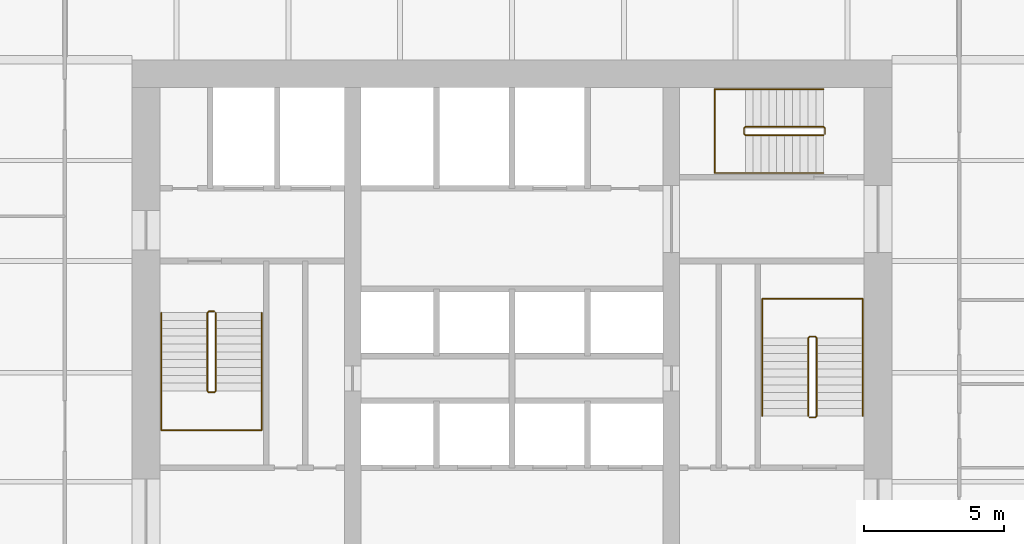
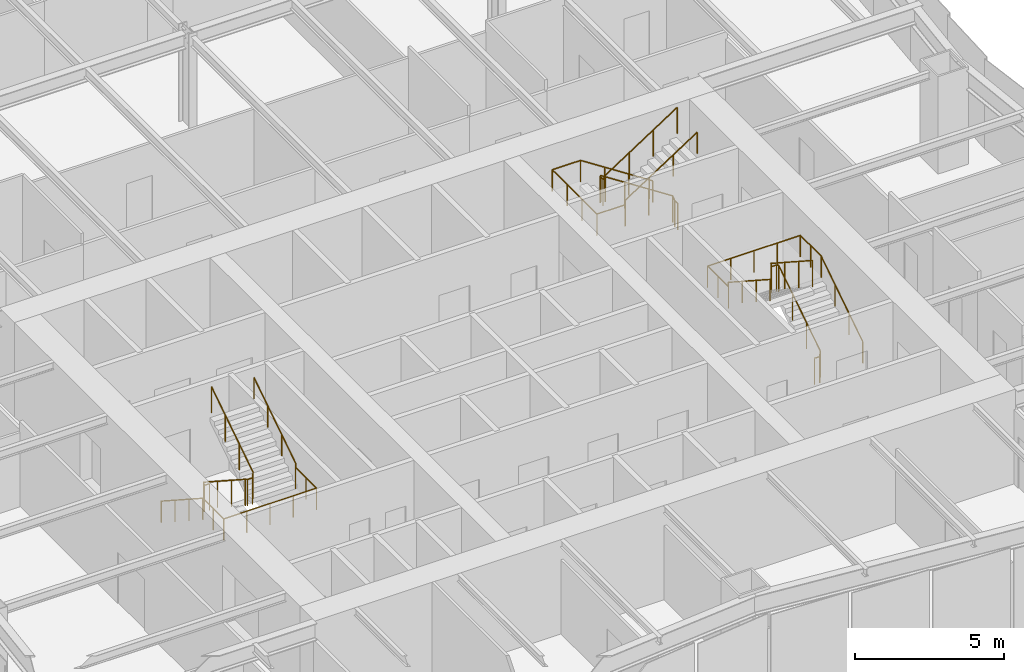
# One storey, part 8 of 8: 6 railings.
"""IFC4 building model written with IfcOpenShell, lengths in metres."""

from ifc_helpers import new_model, si_unit, direction, frame, origin, origin_2d, place, context, subcontext, project, spatial, circle, extrude, material, type_object, element, save


model = new_model("IFC4")

# Units and contexts
model_context = context("Model", 3, precision=1e-05, world=origin(), true_north=direction((0.0, 1.0)))
body_context = subcontext(model_context, "Body", "Model", "MODEL_VIEW")
ifc_project = project(units=[si_unit("LENGTHUNIT", "METRE"), si_unit("AREAUNIT", "SQUARE_METRE"), si_unit("VOLUMEUNIT", "CUBIC_METRE"), si_unit("PLANEANGLEUNIT", "RADIAN"), si_unit("MASSUNIT", "GRAM", prefix="KILO")], contexts=[model_context])

# Site, building, storey
site_placement = place(None, origin())
site = spatial("IfcSite", under=ifc_project, at=site_placement, CompositionType="ELEMENT")
building_placement = place(site_placement, origin())
building = spatial("IfcBuilding", under=site, at=building_placement, Name="Verdant Reach Tower", CompositionType="ELEMENT")
storey_placement = place(building_placement, frame((0.0, 0.0, 146.0)))
storey = spatial("IfcBuildingStorey", under=building, at=storey_placement, Name="L33", CompositionType="ELEMENT", Elevation=146.0)

# Railings
ifc_material = material(Name="Stainless steel", Category="steel")
railing_type_1 = type_object("IfcRailingType", Name="CO-GUARD", PredefinedType="GUARDRAIL", material=ifc_material)
railing_1_placement = place(storey_placement, frame((-10.64990234375, 29.60009765625, 0.0)))
element("IfcRailing", 1, at=railing_1_placement, inside=storey, type_object=railing_type_1, Name="L33 ST-1 stair guard 1", PredefinedType="GUARDRAIL", context=body_context, shape_type="SweptSolid", body=[
    extrude(circle(Radius=0.02392578125, at=origin_2d()), frame((0.0, 0.0, 1.076171875), z_axis=(-1.0, 0.0, 0.0), x_axis=(0.0, -1.0, 0.0)), (0.0, 0.0, 1.0), 0.2001953125),
    extrude(circle(Radius=0.02392578125, at=origin_2d()), frame((-0.2001953125, 0.0, 1.076171875), z_axis=(-0.25526617399, -0.256517478764, 0.932222056972), x_axis=(0.708833529934, -0.705375805398, 0.0)), (0.0, 0.0, 1.0), 0.195068359375),
    extrude(circle(Radius=0.02392578125, at=origin_2d()), frame((-0.25, -0.050048828125, 1.2578125), z_axis=(0.0, -0.838705829183, 0.544584733623), x_axis=(1.0, 0.0, 0.0)), (0.0, 0.0, 1.0), 3.338623046875),
    extrude(circle(Radius=0.02392578125, at=origin_2d()), frame((-0.25, -2.85009765625, 3.076171875), z_axis=(0.705375805398, -0.708833529934, 0.0), x_axis=(0.708833529934, 0.705375805398, 0.0)), (0.0, 0.0, 1.0), 0.070556640625),
    extrude(circle(Radius=0.02392578125, at=origin_2d()), frame((-0.2001953125, -2.900146484375, 3.076171875), z_axis=(1.0, 0.0, 0.0), x_axis=(0.0, 1.0, 0.0)), (0.0, 0.0, 1.0), 0.2001953125),
    extrude(circle(Radius=0.02392578125, at=origin_2d()), frame((0.0, -2.900146484375, 3.076171875), z_axis=(0.25526617399, 0.256517478764, 0.932222056972), x_axis=(-0.708833529934, 0.705375805398, 0.0)), (0.0, 0.0, 1.0), 0.195068359375),
    extrude(circle(Radius=0.02392578125, at=origin_2d()), frame((0.0498046875, -2.85009765625, 3.2578125), z_axis=(0.0, 0.838705829183, 0.544584733623), x_axis=(-1.0, 0.0, 0.0)), (0.0, 0.0, 1.0), 3.338623046875),
    extrude(circle(Radius=0.02099609375, at=origin_2d()), origin(), (0.0, 0.0, 1.0), 1.052001953125),
    extrude(circle(Radius=0.02099609375, at=origin_2d()), frame((-0.2001953125, 0.0, 0.0)), (0.0, 0.0, 1.0), 1.052001953125),
    extrude(circle(Radius=0.02099609375, at=origin_2d()), frame((-0.25, -0.050048828125, 0.181884765625)), (0.0, 0.0, 1.0), 1.052001953125),
    extrude(circle(Radius=0.02099609375, at=origin_2d()), frame((-0.25, -0.9833984375, 0.787841796875)), (0.0, 0.0, 1.0), 1.052001953125),
    extrude(circle(Radius=0.02099609375, at=origin_2d()), frame((-0.25, -1.916748046875, 1.39404296875)), (0.0, 0.0, 1.0), 1.052001953125),
    extrude(circle(Radius=0.02099609375, at=origin_2d()), frame((-0.25, -2.85009765625, 2.0)), (0.0, 0.0, 1.0), 1.052001953125),
    extrude(circle(Radius=0.02099609375, at=origin_2d()), frame((-0.2001953125, -2.900146484375, 2.0)), (0.0, 0.0, 1.0), 1.052001953125),
    extrude(circle(Radius=0.02099609375, at=origin_2d()), frame((0.0, -2.900146484375, 2.0)), (0.0, 0.0, 1.0), 1.052001953125),
    extrude(circle(Radius=0.02099609375, at=origin_2d()), frame((0.0498046875, -2.85009765625, 2.181884765625)), (0.0, 0.0, 1.0), 1.052001953125),
    extrude(circle(Radius=0.02099609375, at=origin_2d()), frame((0.0498046875, -1.916748046875, 2.787841796875)), (0.0, 0.0, 1.0), 1.052001953125),
    extrude(circle(Radius=0.02099609375, at=origin_2d()), frame((0.0498046875, -0.9833984375, 3.39404296875)), (0.0, 0.0, 1.0), 1.052001953125),
    extrude(circle(Radius=0.02099609375, at=origin_2d()), frame((0.0498046875, -0.050048828125, 4.0)), (0.0, 0.0, 1.0), 1.052001953125),
])
railing_2_placement = place(storey_placement, frame((10.64990234375, 25.800048828125, 0.0)))
element("IfcRailing", 2, at=railing_2_placement, inside=storey, type_object=railing_type_1, Name="L33 ST-2 stair guard 1", PredefinedType="GUARDRAIL", context=body_context, shape_type="SweptSolid", body=[
    extrude(circle(Radius=0.02392578125, at=origin_2d()), frame((0.0, 0.0, 1.076171875), z_axis=(1.0, 0.0, 0.0), x_axis=(0.0, 1.0, 0.0)), (0.0, 0.0, 1.0), 0.2001953125),
    extrude(circle(Radius=0.02392578125, at=origin_2d()), frame((0.2001953125, 0.0, 1.076171875), z_axis=(0.25526617399, 0.256517478764, 0.932222056972), x_axis=(-0.708833529934, 0.705375805398, 0.0)), (0.0, 0.0, 1.0), 0.195068359375),
    extrude(circle(Radius=0.02392578125, at=origin_2d()), frame((0.25, 0.050048828125, 1.2578125), z_axis=(0.0, 0.83868413941, 0.544618136222), x_axis=(-1.0, 0.0, 0.0)), (0.0, 0.0, 1.0), 3.33837890625),
    extrude(circle(Radius=0.02392578125, at=origin_2d()), frame((0.25, 2.849853515625, 3.076171875), z_axis=(-0.705375805398, 0.708833529934, 0.0), x_axis=(-0.708833529934, -0.705375805398, 0.0)), (0.0, 0.0, 1.0), 0.070556640625),
    extrude(circle(Radius=0.02392578125, at=origin_2d()), frame((0.2001953125, 2.89990234375, 3.076171875), z_axis=(-1.0, 0.0, 0.0), x_axis=(0.0, -1.0, 0.0)), (0.0, 0.0, 1.0), 0.2001953125),
    extrude(circle(Radius=0.02392578125, at=origin_2d()), frame((0.0, 2.89990234375, 3.076171875), z_axis=(-0.25526617399, -0.256517478764, 0.932222056972), x_axis=(0.708833529934, -0.705375805398, 0.0)), (0.0, 0.0, 1.0), 0.195068359375),
    extrude(circle(Radius=0.02392578125, at=origin_2d()), frame((-0.0498046875, 2.849853515625, 3.2578125), z_axis=(0.0, -0.83868413941, 0.544618136222), x_axis=(1.0, 0.0, 0.0)), (0.0, 0.0, 1.0), 3.33837890625),
    extrude(circle(Radius=0.02099609375, at=origin_2d()), origin(), (0.0, 0.0, 1.0), 1.052001953125),
    extrude(circle(Radius=0.02099609375, at=origin_2d()), frame((0.2001953125, 0.0, 0.0)), (0.0, 0.0, 1.0), 1.052001953125),
    extrude(circle(Radius=0.02099609375, at=origin_2d()), frame((0.25, 0.050048828125, 0.181884765625)), (0.0, 0.0, 1.0), 1.052001953125),
    extrude(circle(Radius=0.02099609375, at=origin_2d()), frame((0.25, 0.9833984375, 0.787841796875)), (0.0, 0.0, 1.0), 1.052001953125),
    extrude(circle(Radius=0.02099609375, at=origin_2d()), frame((0.25, 1.91650390625, 1.39404296875)), (0.0, 0.0, 1.0), 1.052001953125),
    extrude(circle(Radius=0.02099609375, at=origin_2d()), frame((0.25, 2.849853515625, 2.0)), (0.0, 0.0, 1.0), 1.052001953125),
    extrude(circle(Radius=0.02099609375, at=origin_2d()), frame((0.2001953125, 2.89990234375, 2.0)), (0.0, 0.0, 1.0), 1.052001953125),
    extrude(circle(Radius=0.02099609375, at=origin_2d()), frame((0.0, 2.89990234375, 2.0)), (0.0, 0.0, 1.0), 1.052001953125),
    extrude(circle(Radius=0.02099609375, at=origin_2d()), frame((-0.0498046875, 2.849853515625, 2.181884765625)), (0.0, 0.0, 1.0), 1.052001953125),
    extrude(circle(Radius=0.02099609375, at=origin_2d()), frame((-0.0498046875, 1.91650390625, 2.787841796875)), (0.0, 0.0, 1.0), 1.052001953125),
    extrude(circle(Radius=0.02099609375, at=origin_2d()), frame((-0.0498046875, 0.9833984375, 3.39404296875)), (0.0, 0.0, 1.0), 1.052001953125),
    extrude(circle(Radius=0.02099609375, at=origin_2d()), frame((-0.0498046875, 0.050048828125, 4.0)), (0.0, 0.0, 1.0), 1.052001953125),
])
railing_3_placement = place(storey_placement, frame((11.199951171875, 35.949951171875, 0.0)))
element("IfcRailing", 3, at=railing_3_placement, inside=storey, type_object=railing_type_1, Name="L33 ST-3 stair guard 1", PredefinedType="GUARDRAIL", context=body_context, shape_type="SweptSolid", body=[
    extrude(circle(Radius=0.02392578125, at=origin_2d()), frame((0.0, 0.0, 1.076171875), z_axis=(0.0, 1.0, 0.0), x_axis=(-1.0, 0.0, 0.0)), (0.0, 0.0, 1.0), 0.199951171875),
    extrude(circle(Radius=0.02392578125, at=origin_2d()), frame((0.0, 0.199951171875, 1.076171875), z_axis=(-0.256435381639, 0.256435381639, 0.931923704005), x_axis=(-0.707106781187, -0.707106781187, 0.0)), (0.0, 0.0, 1.0), 0.195068359375),
    extrude(circle(Radius=0.02392578125, at=origin_2d()), frame((-0.050048828125, 0.25, 1.2578125), z_axis=(-0.83868413941, 0.0, 0.544618136222), x_axis=(0.0, -1.0, 0.0)), (0.0, 0.0, 1.0), 3.33837890625),
    extrude(circle(Radius=0.02392578125, at=origin_2d()), frame((-2.849853515625, 0.25, 3.076171875), z_axis=(-0.707106781187, -0.707106781187, 0.0), x_axis=(0.707106781187, -0.707106781187, 0.0)), (0.0, 0.0, 1.0), 0.07080078125),
    extrude(circle(Radius=0.02392578125, at=origin_2d()), frame((-2.89990234375, 0.199951171875, 3.076171875), z_axis=(0.0, -1.0, 0.0), x_axis=(1.0, 0.0, 0.0)), (0.0, 0.0, 1.0), 0.199951171875),
    extrude(circle(Radius=0.02392578125, at=origin_2d()), frame((-2.89990234375, 0.0, 3.076171875), z_axis=(0.256435381639, -0.256435381639, 0.931923704005), x_axis=(0.707106781187, 0.707106781187, 0.0)), (0.0, 0.0, 1.0), 0.195068359375),
    extrude(circle(Radius=0.02392578125, at=origin_2d()), frame((-2.849853515625, -0.050048828125, 3.2578125), z_axis=(0.83868413941, 0.0, 0.544618136222), x_axis=(0.0, 1.0, 0.0)), (0.0, 0.0, 1.0), 3.33837890625),
    extrude(circle(Radius=0.02099609375, at=origin_2d()), origin(), (0.0, 0.0, 1.0), 1.052001953125),
    extrude(circle(Radius=0.02099609375, at=origin_2d()), frame((0.0, 0.199951171875, 0.0)), (0.0, 0.0, 1.0), 1.052001953125),
    extrude(circle(Radius=0.02099609375, at=origin_2d()), frame((-0.050048828125, 0.25, 0.181884765625)), (0.0, 0.0, 1.0), 1.052001953125),
    extrude(circle(Radius=0.02099609375, at=origin_2d()), frame((-0.9833984375, 0.25, 0.787841796875)), (0.0, 0.0, 1.0), 1.052001953125),
    extrude(circle(Radius=0.02099609375, at=origin_2d()), frame((-1.91650390625, 0.25, 1.39404296875)), (0.0, 0.0, 1.0), 1.052001953125),
    extrude(circle(Radius=0.02099609375, at=origin_2d()), frame((-2.849853515625, 0.25, 2.0)), (0.0, 0.0, 1.0), 1.052001953125),
    extrude(circle(Radius=0.02099609375, at=origin_2d()), frame((-2.89990234375, 0.199951171875, 2.0)), (0.0, 0.0, 1.0), 1.052001953125),
    extrude(circle(Radius=0.02099609375, at=origin_2d()), frame((-2.89990234375, 0.0, 2.0)), (0.0, 0.0, 1.0), 1.052001953125),
    extrude(circle(Radius=0.02099609375, at=origin_2d()), frame((-2.849853515625, -0.050048828125, 2.181884765625)), (0.0, 0.0, 1.0), 1.052001953125),
    extrude(circle(Radius=0.02099609375, at=origin_2d()), frame((-1.91650390625, -0.050048828125, 2.787841796875)), (0.0, 0.0, 1.0), 1.052001953125),
    extrude(circle(Radius=0.02099609375, at=origin_2d()), frame((-0.9833984375, -0.050048828125, 3.39404296875)), (0.0, 0.0, 1.0), 1.052001953125),
    extrude(circle(Radius=0.02099609375, at=origin_2d()), frame((-0.050048828125, -0.050048828125, 4.0)), (0.0, 0.0, 1.0), 1.052001953125),
])
railing_type_2 = type_object("IfcRailingType", Name="CO-HANDRAIL", PredefinedType="HANDRAIL", material=ifc_material)
railing_4_placement = place(storey_placement, frame((-12.550048828125, 29.550048828125, 0.181884765625)))
element("IfcRailing", 4, at=railing_4_placement, inside=storey, type_object=railing_type_2, Name="L33 ST-1 stair handrail 1", PredefinedType="HANDRAIL", context=body_context, shape_type="SweptSolid", body=[
    extrude(circle(Radius=0.02392578125, at=origin_2d()), frame((0.0, 0.0, 0.8759765625), z_axis=(0.0, -0.838705829183, 0.544584733623), x_axis=(1.0, 0.0, 0.0)), (0.0, 0.0, 1.0), 3.338623046875),
    extrude(circle(Radius=0.02392578125, at=origin_2d()), frame((0.0, -2.800048828125, 2.69384765625), z_axis=(0.0, -1.0, 0.0), x_axis=(1.0, 0.0, 0.0)), (0.0, 0.0, 1.0), 1.39990234375),
    extrude(circle(Radius=0.02392578125, at=origin_2d()), frame((0.0, -4.199951171875, 2.69384765625), z_axis=(1.0, 0.0, 0.0), x_axis=(0.0, 1.0, 0.0)), (0.0, 0.0, 1.0), 3.60009765625),
    extrude(circle(Radius=0.02392578125, at=origin_2d()), frame((3.60009765625, -4.199951171875, 2.69384765625), z_axis=(0.0, 1.0, 0.0), x_axis=(-1.0, 0.0, 0.0)), (0.0, 0.0, 1.0), 1.39990234375),
    extrude(circle(Radius=0.02392578125, at=origin_2d()), frame((3.60009765625, -2.800048828125, 2.69384765625), z_axis=(0.0, 0.0, 1.0), x_axis=(1.0, 0.0, 0.0)), (0.0, 0.0, 1.0), 0.181884765625),
    extrude(circle(Radius=0.02392578125, at=origin_2d()), frame((3.60009765625, -2.800048828125, 2.8759765625), z_axis=(0.0, 0.838705829183, 0.544584733623), x_axis=(-1.0, 0.0, 0.0)), (0.0, 0.0, 1.0), 3.338623046875),
    extrude(circle(Radius=0.02099609375, at=origin_2d()), origin(), (0.0, 0.0, 1.0), 0.851806640625),
    extrude(circle(Radius=0.02099609375, at=origin_2d()), frame((0.0, -0.933349609375, 0.60595703125)), (0.0, 0.0, 1.0), 0.851806640625),
    extrude(circle(Radius=0.02099609375, at=origin_2d()), frame((0.0, -1.86669921875, 1.212158203125)), (0.0, 0.0, 1.0), 0.851806640625),
    extrude(circle(Radius=0.02099609375, at=origin_2d()), frame((0.0, -2.800048828125, 1.818115234375)), (0.0, 0.0, 1.0), 0.851806640625),
    extrude(circle(Radius=0.02099609375, at=origin_2d()), frame((0.0, -3.5, 1.818115234375)), (0.0, 0.0, 1.0), 0.851806640625),
    extrude(circle(Radius=0.02099609375, at=origin_2d()), frame((0.0, -4.199951171875, 1.818115234375)), (0.0, 0.0, 1.0), 0.851806640625),
    extrude(circle(Radius=0.02099609375, at=origin_2d()), frame((0.89990234375, -4.199951171875, 1.818115234375)), (0.0, 0.0, 1.0), 0.851806640625),
    extrude(circle(Radius=0.02099609375, at=origin_2d()), frame((1.800048828125, -4.199951171875, 1.818115234375)), (0.0, 0.0, 1.0), 0.851806640625),
    extrude(circle(Radius=0.02099609375, at=origin_2d()), frame((2.7001953125, -4.199951171875, 1.818115234375)), (0.0, 0.0, 1.0), 0.851806640625),
    extrude(circle(Radius=0.02099609375, at=origin_2d()), frame((3.60009765625, -4.199951171875, 1.818115234375)), (0.0, 0.0, 1.0), 0.851806640625),
    extrude(circle(Radius=0.02099609375, at=origin_2d()), frame((3.60009765625, -3.5, 1.818115234375)), (0.0, 0.0, 1.0), 0.851806640625),
    extrude(circle(Radius=0.02099609375, at=origin_2d()), frame((3.60009765625, -2.800048828125, 1.818115234375)), (0.0, 0.0, 1.0), 0.851806640625),
    extrude(circle(Radius=0.02099609375, at=origin_2d()), frame((3.60009765625, -2.800048828125, 2.0)), (0.0, 0.0, 1.0), 0.851806640625),
    extrude(circle(Radius=0.02099609375, at=origin_2d()), frame((3.60009765625, -1.86669921875, 2.60595703125)), (0.0, 0.0, 1.0), 0.851806640625),
    extrude(circle(Radius=0.02099609375, at=origin_2d()), frame((3.60009765625, -0.933349609375, 3.212158203125)), (0.0, 0.0, 1.0), 0.851806640625),
    extrude(circle(Radius=0.02099609375, at=origin_2d()), frame((3.60009765625, 0.0, 3.818115234375)), (0.0, 0.0, 1.0), 0.851806640625),
])
railing_5_placement = place(storey_placement, frame((12.550048828125, 25.85009765625, 0.181884765625)))
element("IfcRailing", 5, at=railing_5_placement, inside=storey, type_object=railing_type_2, Name="L33 ST-2 stair handrail 1", PredefinedType="HANDRAIL", context=body_context, shape_type="SweptSolid", body=[
    extrude(circle(Radius=0.02392578125, at=origin_2d()), frame((0.0, 0.0, 0.8759765625), z_axis=(0.0, 0.83868413941, 0.544618136222), x_axis=(-1.0, 0.0, 0.0)), (0.0, 0.0, 1.0), 3.33837890625),
    extrude(circle(Radius=0.02392578125, at=origin_2d()), frame((0.0, 2.7998046875, 2.69384765625), z_axis=(0.0, 1.0, 0.0), x_axis=(-1.0, 0.0, 0.0)), (0.0, 0.0, 1.0), 1.400146484375),
    extrude(circle(Radius=0.02392578125, at=origin_2d()), frame((0.0, 4.199951171875, 2.69384765625), z_axis=(-1.0, 0.0, 0.0), x_axis=(0.0, -1.0, 0.0)), (0.0, 0.0, 1.0), 3.60009765625),
    extrude(circle(Radius=0.02392578125, at=origin_2d()), frame((-3.60009765625, 4.199951171875, 2.69384765625), z_axis=(0.0, -1.0, 0.0), x_axis=(1.0, 0.0, 0.0)), (0.0, 0.0, 1.0), 1.400146484375),
    extrude(circle(Radius=0.02392578125, at=origin_2d()), frame((-3.60009765625, 2.7998046875, 2.69384765625), z_axis=(0.0, 0.0, 1.0), x_axis=(1.0, 0.0, 0.0)), (0.0, 0.0, 1.0), 0.181884765625),
    extrude(circle(Radius=0.02392578125, at=origin_2d()), frame((-3.60009765625, 2.7998046875, 2.8759765625), z_axis=(0.0, -0.83868413941, 0.544618136222), x_axis=(1.0, 0.0, 0.0)), (0.0, 0.0, 1.0), 3.33837890625),
    extrude(circle(Radius=0.02099609375, at=origin_2d()), origin(), (0.0, 0.0, 1.0), 0.851806640625),
    extrude(circle(Radius=0.02099609375, at=origin_2d()), frame((0.0, 0.933349609375, 0.60595703125)), (0.0, 0.0, 1.0), 0.851806640625),
    extrude(circle(Radius=0.02099609375, at=origin_2d()), frame((0.0, 1.866455078125, 1.212158203125)), (0.0, 0.0, 1.0), 0.851806640625),
    extrude(circle(Radius=0.02099609375, at=origin_2d()), frame((0.0, 2.7998046875, 1.818115234375)), (0.0, 0.0, 1.0), 0.851806640625),
    extrude(circle(Radius=0.02099609375, at=origin_2d()), frame((0.0, 3.5, 1.818115234375)), (0.0, 0.0, 1.0), 0.851806640625),
    extrude(circle(Radius=0.02099609375, at=origin_2d()), frame((0.0, 4.199951171875, 1.818115234375)), (0.0, 0.0, 1.0), 0.851806640625),
    extrude(circle(Radius=0.02099609375, at=origin_2d()), frame((-0.89990234375, 4.199951171875, 1.818115234375)), (0.0, 0.0, 1.0), 0.851806640625),
    extrude(circle(Radius=0.02099609375, at=origin_2d()), frame((-1.800048828125, 4.199951171875, 1.818115234375)), (0.0, 0.0, 1.0), 0.851806640625),
    extrude(circle(Radius=0.02099609375, at=origin_2d()), frame((-2.7001953125, 4.199951171875, 1.818115234375)), (0.0, 0.0, 1.0), 0.851806640625),
    extrude(circle(Radius=0.02099609375, at=origin_2d()), frame((-3.60009765625, 4.199951171875, 1.818115234375)), (0.0, 0.0, 1.0), 0.851806640625),
    extrude(circle(Radius=0.02099609375, at=origin_2d()), frame((-3.60009765625, 3.5, 1.818115234375)), (0.0, 0.0, 1.0), 0.851806640625),
    extrude(circle(Radius=0.02099609375, at=origin_2d()), frame((-3.60009765625, 2.7998046875, 1.818115234375)), (0.0, 0.0, 1.0), 0.851806640625),
    extrude(circle(Radius=0.02099609375, at=origin_2d()), frame((-3.60009765625, 2.7998046875, 2.0)), (0.0, 0.0, 1.0), 0.851806640625),
    extrude(circle(Radius=0.02099609375, at=origin_2d()), frame((-3.60009765625, 1.866455078125, 2.60595703125)), (0.0, 0.0, 1.0), 0.851806640625),
    extrude(circle(Radius=0.02099609375, at=origin_2d()), frame((-3.60009765625, 0.933349609375, 3.212158203125)), (0.0, 0.0, 1.0), 0.851806640625),
    extrude(circle(Radius=0.02099609375, at=origin_2d()), frame((-3.60009765625, 0.0, 3.818115234375)), (0.0, 0.0, 1.0), 0.851806640625),
])
railing_6_placement = place(storey_placement, frame((11.14990234375, 37.550048828125, 0.181884765625)))
element("IfcRailing", 6, at=railing_6_placement, inside=storey, type_object=railing_type_2, Name="L33 ST-3 stair handrail 1", PredefinedType="HANDRAIL", context=body_context, shape_type="SweptSolid", body=[
    extrude(circle(Radius=0.02392578125, at=origin_2d()), frame((0.0, 0.0, 0.8759765625), z_axis=(-0.83868413941, 0.0, 0.544618136222), x_axis=(0.0, -1.0, 0.0)), (0.0, 0.0, 1.0), 3.33837890625),
    extrude(circle(Radius=0.02392578125, at=origin_2d()), frame((-2.7998046875, 0.0, 2.69384765625), z_axis=(-1.0, 0.0, 0.0), x_axis=(0.0, -1.0, 0.0)), (0.0, 0.0, 1.0), 1.10009765625),
    extrude(circle(Radius=0.02392578125, at=origin_2d()), frame((-3.89990234375, 0.0, 2.69384765625), z_axis=(0.0, -1.0, 0.0), x_axis=(1.0, 0.0, 0.0)), (0.0, 0.0, 1.0), 3.0),
    extrude(circle(Radius=0.02392578125, at=origin_2d()), frame((-3.89990234375, -3.0, 2.69384765625), z_axis=(1.0, 0.0, 0.0), x_axis=(0.0, 1.0, 0.0)), (0.0, 0.0, 1.0), 1.10009765625),
    extrude(circle(Radius=0.02392578125, at=origin_2d()), frame((-2.7998046875, -3.0, 2.69384765625), z_axis=(0.0, 0.0, 1.0), x_axis=(1.0, 0.0, 0.0)), (0.0, 0.0, 1.0), 0.181884765625),
    extrude(circle(Radius=0.02392578125, at=origin_2d()), frame((-2.7998046875, -3.0, 2.8759765625), z_axis=(0.83868413941, 0.0, 0.544618136222), x_axis=(0.0, 1.0, 0.0)), (0.0, 0.0, 1.0), 3.33837890625),
    extrude(circle(Radius=0.02099609375, at=origin_2d()), origin(), (0.0, 0.0, 1.0), 0.851806640625),
    extrude(circle(Radius=0.02099609375, at=origin_2d()), frame((-0.933349609375, 0.0, 0.60595703125)), (0.0, 0.0, 1.0), 0.851806640625),
    extrude(circle(Radius=0.02099609375, at=origin_2d()), frame((-1.866455078125, 0.0, 1.212158203125)), (0.0, 0.0, 1.0), 0.851806640625),
    extrude(circle(Radius=0.02099609375, at=origin_2d()), frame((-2.7998046875, 0.0, 1.818115234375)), (0.0, 0.0, 1.0), 0.851806640625),
    extrude(circle(Radius=0.02099609375, at=origin_2d()), frame((-3.89990234375, 0.0, 1.818115234375)), (0.0, 0.0, 1.0), 0.851806640625),
    extrude(circle(Radius=0.02099609375, at=origin_2d()), frame((-3.89990234375, -1.0, 1.818115234375)), (0.0, 0.0, 1.0), 0.851806640625),
    extrude(circle(Radius=0.02099609375, at=origin_2d()), frame((-3.89990234375, -2.0, 1.818115234375)), (0.0, 0.0, 1.0), 0.851806640625),
    extrude(circle(Radius=0.02099609375, at=origin_2d()), frame((-3.89990234375, -3.0, 1.818115234375)), (0.0, 0.0, 1.0), 0.851806640625),
    extrude(circle(Radius=0.02099609375, at=origin_2d()), frame((-2.7998046875, -3.0, 1.818115234375)), (0.0, 0.0, 1.0), 0.851806640625),
    extrude(circle(Radius=0.02099609375, at=origin_2d()), frame((-2.7998046875, -3.0, 2.0)), (0.0, 0.0, 1.0), 0.851806640625),
    extrude(circle(Radius=0.02099609375, at=origin_2d()), frame((-1.866455078125, -3.0, 2.60595703125)), (0.0, 0.0, 1.0), 0.851806640625),
    extrude(circle(Radius=0.02099609375, at=origin_2d()), frame((-0.933349609375, -3.0, 3.212158203125)), (0.0, 0.0, 1.0), 0.851806640625),
    extrude(circle(Radius=0.02099609375, at=origin_2d()), frame((0.0, -3.0, 3.818115234375)), (0.0, 0.0, 1.0), 0.851806640625),
])

save(model, "model.ifc")
